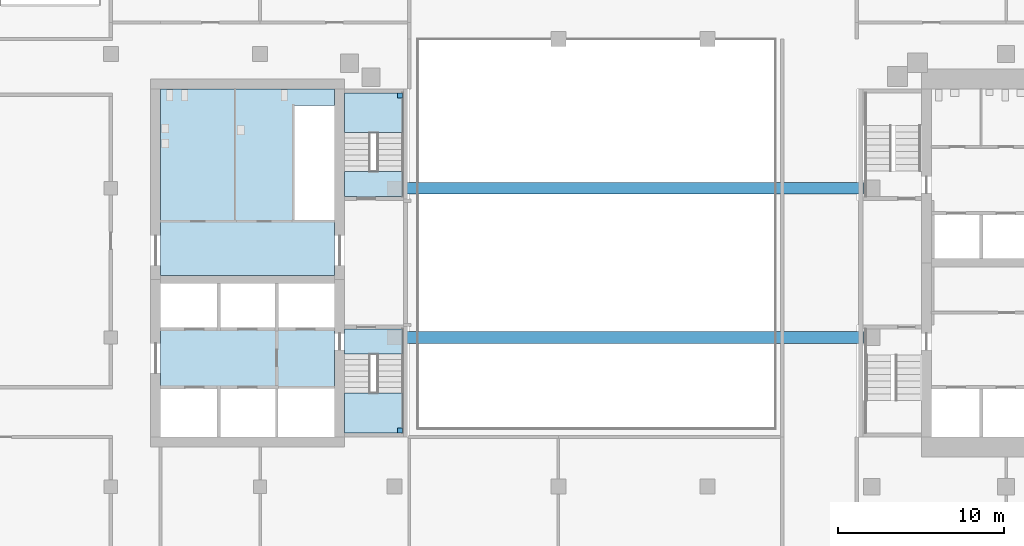
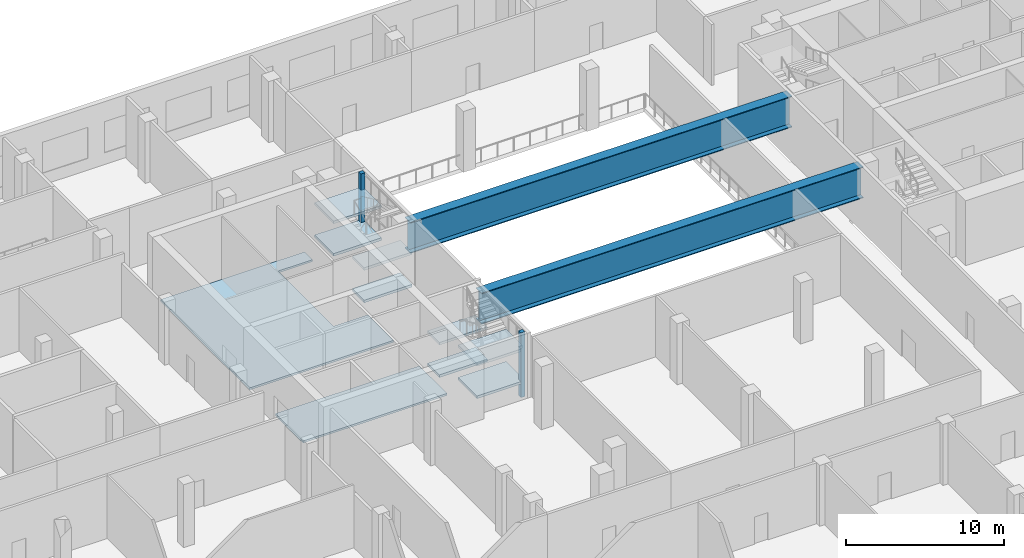
# One storey, part 2 of 20: 10 slabs, 2 beams, 2 members, 2 elements without a shape of their own.
"""IFC4 building model written with IfcOpenShell, lengths in metres."""

from ifc_helpers import new_model, si_unit, direction, frame, origin, origin_2d, place, context, subcontext, project, spatial, polyline, rectangle, i_section, outline, extrude, material, layer, layer_set, material_profile, profile_set, type_object, element, aggregate, save


model = new_model("IFC4")

# Units and contexts
model_context = context("Model", 3, precision=1e-05, world=origin(), true_north=direction((0.0, 1.0)))
body_context = subcontext(model_context, "Body", "Model", "MODEL_VIEW")
ifc_project = project(units=[si_unit("LENGTHUNIT", "METRE"), si_unit("AREAUNIT", "SQUARE_METRE"), si_unit("VOLUMEUNIT", "CUBIC_METRE"), si_unit("PLANEANGLEUNIT", "RADIAN"), si_unit("MASSUNIT", "GRAM", prefix="KILO")], contexts=[model_context])

# Site, building, storey
site_placement = place(None, origin())
site = spatial("IfcSite", under=ifc_project, at=site_placement, CompositionType="ELEMENT")
building_placement = place(site_placement, origin())
building = spatial("IfcBuilding", under=site, at=building_placement, Name="Cinnabar Reach Civic Tower", CompositionType="ELEMENT")
storey_placement = place(building_placement, frame((0.0, 0.0, 21.0)))
storey = spatial("IfcBuildingStorey", under=building, at=storey_placement, Name="L04", CompositionType="ELEMENT", Elevation=21.0)

# Members
ifc_material_1 = material(Name="Concrete C40", Category="concrete")
ifc_material_profile_1 = material_profile(ifc_material_1, rectangle(XDim=0.3, YDim=0.3, at=origin_2d()), Name="C300")
ifc_profile_set_1 = profile_set([ifc_material_profile_1], Name="Concrete C40")
member_type = type_object("IfcMemberType", Name="T2 stair post 300", PredefinedType="STRUT", material=ifc_profile_set_1)
for number, where, z_axis, x_axis, name in (
    (1, (-27.55, 21.4, 0.0), (0.0, 0.0, 1.0), (1.0, 0.0, 0.0), "Stair post 1"),
    (2, (-27.55, 41.6, 0.0), (0.0, 0.0, 1.0), (1.0, 0.0, 0.0), "Stair post 2"),
):
    element("IfcMember", number, at=place(storey_placement, frame(where, z_axis=z_axis, x_axis=x_axis)), inside=storey, type_object=member_type, Name=name, PredefinedType="STRUT", context=body_context, shape_type="SweptSolid", body=[
        extrude(rectangle(XDim=0.3, YDim=0.3, at=origin_2d()), origin(), (0.0, 0.0, 1.0), 5.0),
    ])

# Beams
ifc_material_2 = material(Name="Steel Q355B", Category="steel")
ifc_material_profile_2 = material_profile(ifc_material_2, i_section(OverallWidth=0.7, OverallDepth=2.4, WebThickness=0.036, FlangeThickness=0.06, at=origin_2d()), Name="BH2400x700x36x60")
ifc_profile_set_2 = profile_set([ifc_material_profile_2], Name="Steel Q355B")
beam_type = type_object("IfcBeamType", Name="TRANSFER BH2400x700x36x60 R 240", PredefinedType="BEAM", material=ifc_profile_set_2)
for number, where, z_axis, x_axis, name in (
    (3, (-27.448, 27.0, 3.5), (1.0, 0.0, 0.0), (0.0, 1.0, 0.0), "TRANSFER girder chamber roof 1"),
    (4, (-27.448, 36.0, 3.5), (1.0, 0.0, 0.0), (0.0, 1.0, 0.0), "TRANSFER girder chamber roof 2"),
):
    element("IfcBeam", number, at=place(storey_placement, frame(where, z_axis=z_axis, x_axis=x_axis)), inside=storey, type_object=beam_type, Name=name, PredefinedType="BEAM", context=body_context, shape_type="SweptSolid", body=[
        extrude(i_section(OverallWidth=0.7, OverallDepth=2.4, WebThickness=0.036, FlangeThickness=0.06, at=origin_2d()), origin(), (0.0, 0.0, 1.0), 27.846),
    ])

# Slabs
ifc_layer_1 = layer(ifc_material_1, 0.15)
ifc_layer_set_1 = layer_set([ifc_layer_1], Name="T2 Core floor slab 150")
slab_type_1 = type_object("IfcSlabType", Name="T2 Core floor slab 150", PredefinedType="FLOOR", material=ifc_layer_set_1)
slab_1_placement = place(storey_placement, frame((0.0, 0.0, -0.15)))
element("IfcSlab", 5, at=slab_1_placement, inside=storey, type_object=slab_type_1, Name="Core floor slab L04", PredefinedType="FLOOR", context=body_context, shape_type="SweptSolid", body=[
    extrude(outline(polyline([(-42.0, 42.0), (-31.5, 42.0), (-31.5, 41.0), (-34.0, 41.0), (-34.0, 34.0), (-31.5, 34.0), (-31.5, 30.75), (-42.0, 30.75), (-42.0, 42.0)])), origin(), (0.0, 0.0, 1.0), 0.15),
])
slab_2_placement = place(storey_placement, frame((0.0, 0.0, -0.15)))
element("IfcSlab", 6, at=slab_2_placement, inside=storey, type_object=slab_type_1, Name="Core floor slab L04", PredefinedType="FLOOR", context=body_context, shape_type="SweptSolid", body=[
    extrude(outline(polyline([(-35.0, 24.0), (-38.5, 24.0), (-42.0, 24.0), (-42.0, 27.5), (-38.5, 27.5), (-35.0, 27.5), (-31.5, 27.5), (-31.5, 24.0), (-35.0, 24.0)])), origin(), (0.0, 0.0, 1.0), 0.15),
])

# Stair, slabs
stair_type = type_object("IfcStairType", Name="T2 Exit stair 1500", PredefinedType="HALF_TURN_STAIR", material=ifc_material_1)
stair_1_placement = place(storey_placement, origin())
stair_1 = element("IfcStair", 7, at=stair_1_placement, inside=storey, type_object=stair_type, Name="Exit stair 1", PredefinedType="HALF_TURN_STAIR")
ifc_layer_2 = layer(ifc_material_1, 0.2)
ifc_layer_set_2 = layer_set([ifc_layer_2], Name="T2 Stair landing 200")
slab_type_2 = type_object("IfcSlabType", Name="T2 Stair landing 200", PredefinedType="LANDING", material=ifc_layer_set_2)
slab_3_placement = place(storey_placement, frame((0.0, 0.0, -0.2)))
slab_3 = element("IfcSlab", 8, at=slab_3_placement, type_object=slab_type_2, Name="ST1 landing 1", PredefinedType="LANDING", context=body_context, shape_type="SweptSolid", body=[
    extrude(outline(polyline([(-30.9, 26.0), (-30.9, 27.5), (-27.4, 27.5), (-27.4, 26.0), (-30.9, 26.0)])), origin(), (0.0, 0.0, 1.0), 0.2),
])
slab_4_placement = place(storey_placement, frame((0.0, 0.0, 1.05)))
slab_4 = element("IfcSlab", 9, at=slab_4_placement, type_object=slab_type_2, Name="ST1 landing 2", PredefinedType="LANDING", context=body_context, shape_type="SweptSolid", body=[
    extrude(outline(polyline([(-30.9, 21.25), (-30.9, 23.6375), (-27.4, 23.6375), (-27.4, 21.55), (-27.7, 21.55), (-27.7, 21.25), (-30.9, 21.25)])), origin(), (0.0, 0.0, 1.0), 0.2),
])
slab_5_placement = place(storey_placement, frame((0.0, 0.0, 2.3)))
slab_5 = element("IfcSlab", 10, at=slab_5_placement, type_object=slab_type_2, Name="ST1 landing 3", PredefinedType="LANDING", context=body_context, shape_type="SweptSolid", body=[
    extrude(outline(polyline([(-30.9, 26.0), (-30.9, 27.5), (-27.4, 27.5), (-27.4, 26.0), (-30.9, 26.0)])), origin(), (0.0, 0.0, 1.0), 0.2),
])
slab_6_placement = place(storey_placement, frame((0.0, 0.0, 3.55)))
slab_6 = element("IfcSlab", 11, at=slab_6_placement, type_object=slab_type_2, Name="ST1 landing 4", PredefinedType="LANDING", context=body_context, shape_type="SweptSolid", body=[
    extrude(outline(polyline([(-30.9, 21.25), (-30.9, 23.6375), (-27.4, 23.6375), (-27.4, 21.55), (-27.7, 21.55), (-27.7, 21.25), (-30.9, 21.25)])), origin(), (0.0, 0.0, 1.0), 0.2),
])
aggregate(stair_1, [slab_3, slab_4, slab_5, slab_6])

stair_2_placement = place(storey_placement, origin())
stair_2 = element("IfcStair", 12, at=stair_2_placement, inside=storey, type_object=stair_type, Name="Exit stair 2", PredefinedType="HALF_TURN_STAIR")
slab_7_placement = place(storey_placement, frame((0.0, 0.0, -0.2)))
slab_7 = element("IfcSlab", 13, at=slab_7_placement, type_object=slab_type_2, Name="ST2 landing 1", PredefinedType="LANDING", context=body_context, shape_type="SweptSolid", body=[
    extrude(outline(polyline([(-30.9, 35.5), (-30.9, 37.0), (-27.4, 37.0), (-27.4, 35.5), (-30.9, 35.5)])), origin(), (0.0, 0.0, 1.0), 0.2),
])
slab_8_placement = place(storey_placement, frame((0.0, 0.0, 1.05)))
slab_8 = element("IfcSlab", 14, at=slab_8_placement, type_object=slab_type_2, Name="ST2 landing 2", PredefinedType="LANDING", context=body_context, shape_type="SweptSolid", body=[
    extrude(outline(polyline([(-27.4, 39.3625), (-30.9, 39.3625), (-30.9, 41.75), (-27.7, 41.75), (-27.7, 41.45), (-27.4, 41.45), (-27.4, 39.3625)])), origin(), (0.0, 0.0, 1.0), 0.2),
])
slab_9_placement = place(storey_placement, frame((0.0, 0.0, 2.3)))
slab_9 = element("IfcSlab", 15, at=slab_9_placement, type_object=slab_type_2, Name="ST2 landing 3", PredefinedType="LANDING", context=body_context, shape_type="SweptSolid", body=[
    extrude(outline(polyline([(-30.9, 35.5), (-30.9, 37.0), (-27.4, 37.0), (-27.4, 35.5), (-30.9, 35.5)])), origin(), (0.0, 0.0, 1.0), 0.2),
])
slab_10_placement = place(storey_placement, frame((0.0, 0.0, 3.55)))
slab_10 = element("IfcSlab", 16, at=slab_10_placement, type_object=slab_type_2, Name="ST2 landing 4", PredefinedType="LANDING", context=body_context, shape_type="SweptSolid", body=[
    extrude(outline(polyline([(-27.4, 39.3625), (-30.9, 39.3625), (-30.9, 41.75), (-27.7, 41.75), (-27.7, 41.45), (-27.4, 41.45), (-27.4, 39.3625)])), origin(), (0.0, 0.0, 1.0), 0.2),
])
aggregate(stair_2, [slab_7, slab_8, slab_9, slab_10])

save(model, "model.ifc")
